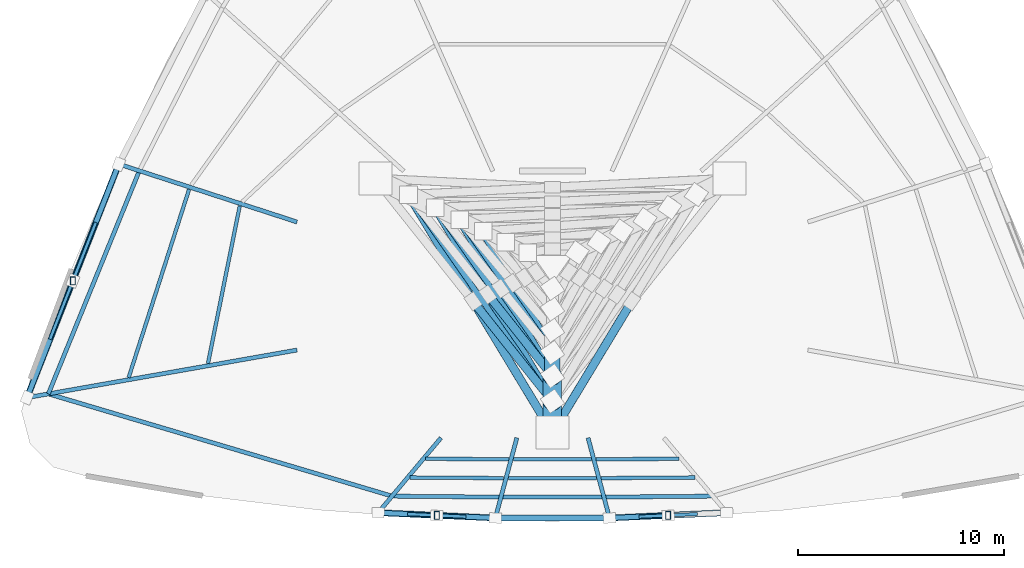
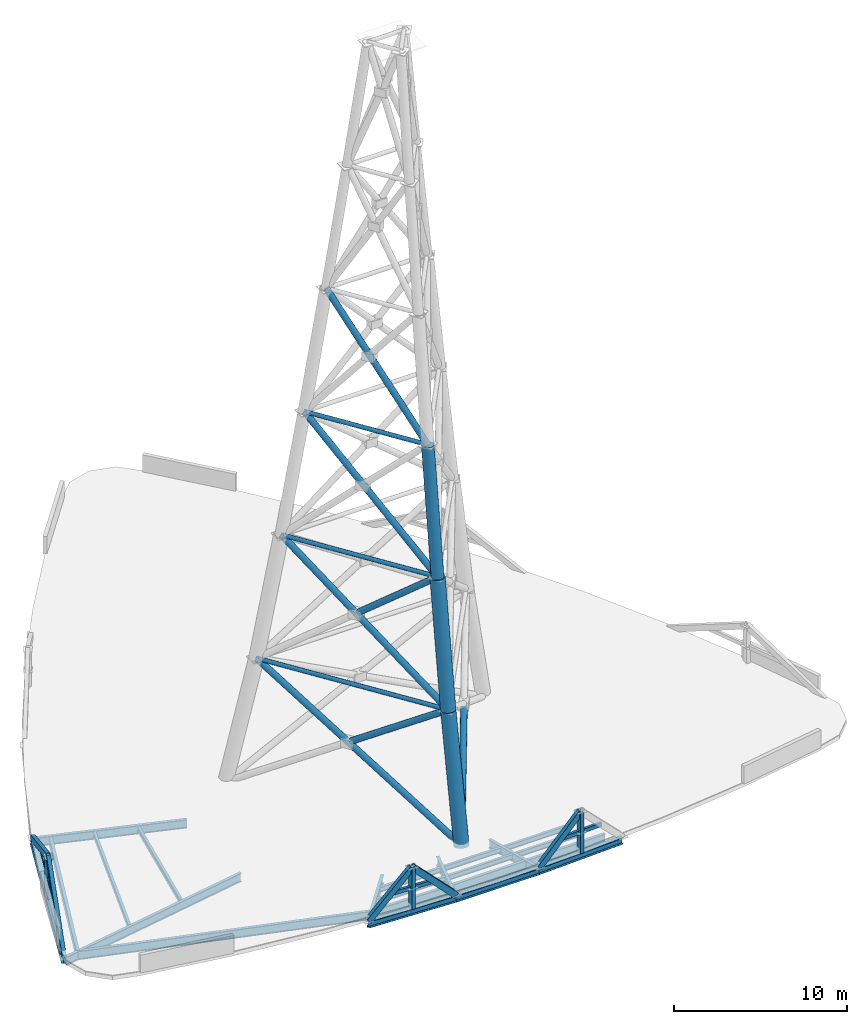
# One storey, part 1 of 7: 27 members, 22 beams.
"""IFC4 building model written with IfcOpenShell, lengths in metres."""

from ifc_helpers import new_model, si_unit, direction, frame, origin, origin_2d, place, context, subcontext, project, spatial, hollow_rectangle, hollow_circle, i_section, extrude, source, transform, mapped, material, material_profile, profile_set, type_object, element, save


model = new_model("IFC4")

# Units and contexts
model_context = context("Model", 3, precision=1e-05, world=origin(), true_north=direction((0.0, 1.0)))
body_context = subcontext(model_context, "Body", "Model", "MODEL_VIEW")
ifc_project = project(units=[si_unit("LENGTHUNIT", "METRE"), si_unit("AREAUNIT", "SQUARE_METRE"), si_unit("VOLUMEUNIT", "CUBIC_METRE"), si_unit("PLANEANGLEUNIT", "RADIAN"), si_unit("MASSUNIT", "GRAM", prefix="KILO"), si_unit("THERMODYNAMICTEMPERATUREUNIT", "KELVIN"), si_unit("POWERUNIT", "WATT")], contexts=[model_context])

# Site, building, storey
site_placement = place(None, origin())
site = spatial("IfcSite", under=ifc_project, at=site_placement, CompositionType="ELEMENT")
building_placement = place(site_placement, origin())
building = spatial("IfcBuilding", under=site, at=building_placement, Name="Yunzhuo Pagoda Commons", CompositionType="ELEMENT")
storey_placement = place(building_placement, frame((0.0, 0.0, 401.760009765625)))
storey = spatial("IfcBuildingStorey", under=building, at=storey_placement, Name="Roof", CompositionType="ELEMENT", Elevation=401.760009765625)

# Beams
ifc_material_1 = material(Name="Structural steel Q355B", Category="steel")
ifc_material_profile_1 = material_profile(ifc_material_1, i_section(OverallWidth=0.199951171875, OverallDepth=0.60009765625, WebThickness=0.010986328125, FlangeThickness=0.01708984375, at=origin_2d()), Name="Structural steel Q355B")
ifc_profile_set_1 = profile_set([ifc_material_profile_1], Name="Structural steel Q355B")
beam_type_1 = type_object("IfcBeamType", Name="B-RG3 Beam HN 600x200x11x17", PredefinedType="BEAM", material=ifc_profile_set_1)
shared_shape_1 = source(origin(), body_context, "Body", "SweptSolid", [
    extrude(i_section(OverallWidth=0.199951171875, OverallDepth=0.60009765625, WebThickness=0.010986328125, FlangeThickness=0.01708984375, at=origin_2d()), origin(), (0.0, 0.0, 1.0), 5.286376953125),
])
for number, where, z_axis, x_axis, name in (
    (1, (40.214599609375, 24.421630859375, -0.580078125), (0.999957341442, -0.009236627946, 0.0), (0.009236627946, 0.999957341442, 0.0), "Roof column-ring beam 1"),
    (2, (50.499267578125, 24.372802734375, -0.580078125), (0.999957341442, 0.009236627946, 0.0), (-0.009236627946, 0.999957341442, 0.0), "Roof column-ring beam 3"),
):
    element("IfcBeam", number, at=place(storey_placement, frame(where, z_axis=z_axis, x_axis=x_axis)), inside=storey, type_object=beam_type_1, Name=name, PredefinedType="BEAM", context=body_context, shape_type="MappedRepresentation", body=[
        mapped(shared_shape_1, transform((0.0, 0.0, 0.0), scale=1.0)),
    ])
shared_shape_2 = source(origin(), body_context, "Body", "SweptSolid", [
    extrude(i_section(OverallWidth=0.199951171875, OverallDepth=0.60009765625, WebThickness=0.010986328125, FlangeThickness=0.01708984375, at=origin_2d()), origin(), (0.0, 0.0, 1.0), 4.99853515625),
])
beam_1_placement = place(storey_placement, frame((45.500732421875, 24.372802734375, -0.580078125), z_axis=(1.0, 0.0, 0.0), x_axis=(0.0, 1.0, 0.0)))
element("IfcBeam", 3, at=beam_1_placement, inside=storey, type_object=beam_type_1, Name="Roof column-ring beam 2", PredefinedType="BEAM", context=body_context, shape_type="MappedRepresentation", body=[
    mapped(shared_shape_2, transform((0.0, 0.0, 0.0), scale=1.0)),
])
shared_shape_3 = source(origin(), body_context, "Body", "SweptSolid", [
    extrude(i_section(OverallWidth=0.199951171875, OverallDepth=0.60009765625, WebThickness=0.010986328125, FlangeThickness=0.01708984375, at=origin_2d()), origin(), (0.0, 0.0, 1.0), 17.407470703125),
])
beam_2_placement = place(storey_placement, frame((23.52978515625, 29.38525390625, -0.580078125), z_axis=(0.958484984609, -0.285143006717, 0.0), x_axis=(0.285143006717, 0.958484984609, 0.0)))
element("IfcBeam", 4, at=beam_2_placement, inside=storey, type_object=beam_type_1, Name="Roof column-ring beam 12", PredefinedType="BEAM", context=body_context, shape_type="MappedRepresentation", body=[
    mapped(shared_shape_3, transform((0.0, 0.0, 0.0), scale=1.0)),
])
shared_shape_4 = source(origin(), body_context, "Body", "SweptSolid", [
    extrude(i_section(OverallWidth=0.199951171875, OverallDepth=0.60009765625, WebThickness=0.010986328125, FlangeThickness=0.01708984375, at=origin_2d()), origin(), (0.0, 0.0, 1.0), 11.696533203125),
])
beam_3_placement = place(storey_placement, frame((27.946533203125, 40.2158203125, -0.580078125), z_axis=(-0.377611800863, -0.925963999219, 0.0), x_axis=(0.925963999219, -0.377611800863, 0.0)))
element("IfcBeam", 5, at=beam_3_placement, inside=storey, type_object=beam_type_1, Name="Roof column-ring beam 11", PredefinedType="BEAM", context=body_context, shape_type="MappedRepresentation", body=[
    mapped(shared_shape_4, transform((0.0, 0.0, 0.0), scale=1.0)),
])
ifc_material_profile_2 = material_profile(ifc_material_1, i_section(OverallWidth=0.175048828125, OverallDepth=0.35009765625, WebThickness=0.007080078125, FlangeThickness=0.010986328125, at=origin_2d()), Name="Structural steel Q355B")
ifc_profile_set_2 = profile_set([ifc_material_profile_2], Name="Structural steel Q355B")
beam_type_2 = type_object("IfcBeamType", Name="B-JS2 Joist HN 350x175x7x11", PredefinedType="JOIST", material=ifc_profile_set_2)
shared_shape_5 = source(origin(), body_context, "Body", "SweptSolid", [
    extrude(i_section(OverallWidth=0.175048828125, OverallDepth=0.35009765625, WebThickness=0.007080078125, FlangeThickness=0.010986328125, at=origin_2d()), origin(), (0.0, 0.0, 1.0), 4.03076171875),
])
for number, where, z_axis, x_axis, name in (
    (6, (41.848388671875, 26.231201171875, -0.455078125), (0.999991518197, -0.004118680996, 0.0), (0.004118680996, 0.999991518197, 0.0), "Roof composite ring joist 1.1"),
    (7, (50.120849609375, 26.214599609375, -0.455078125), (0.999991518197, 0.004118680996, 0.0), (-0.004118680996, 0.999991518197, 0.0), "Roof composite ring joist 1.3"),
):
    element("IfcBeam", number, at=place(storey_placement, frame(where, z_axis=z_axis, x_axis=x_axis)), inside=storey, type_object=beam_type_2, Name=name, PredefinedType="JOIST", context=body_context, shape_type="MappedRepresentation", body=[
        mapped(shared_shape_5, transform((0.0, 0.0, 0.0), scale=1.0)),
    ])
shared_shape_6 = source(origin(), body_context, "Body", "SweptSolid", [
    extrude(i_section(OverallWidth=0.175048828125, OverallDepth=0.35009765625, WebThickness=0.007080078125, FlangeThickness=0.010986328125, at=origin_2d()), origin(), (0.0, 0.0, 1.0), 4.54345703125),
])
for number, where, z_axis, x_axis, name in (
    (8, (41.089111328125, 25.325927734375, -0.455078125), (0.999975976237, -0.006931590593, 0.0), (0.006931590593, 0.999975976237, 0.0), "Roof composite ring joist 2.1"),
    (9, (50.367431640625, 25.29443359375, -0.455078125), (0.999975976237, 0.006931590593, 0.0), (-0.006931590593, 0.999975976237, 0.0), "Roof composite ring joist 2.3"),
):
    element("IfcBeam", number, at=place(storey_placement, frame(where, z_axis=z_axis, x_axis=x_axis)), inside=storey, type_object=beam_type_2, Name=name, PredefinedType="JOIST", context=body_context, shape_type="MappedRepresentation", body=[
        mapped(shared_shape_6, transform((0.0, 0.0, 0.0), scale=1.0)),
    ])
shared_shape_7 = source(origin(), body_context, "Body", "SweptSolid", [
    extrude(i_section(OverallWidth=0.175048828125, OverallDepth=0.35009765625, WebThickness=0.007080078125, FlangeThickness=0.010986328125, at=origin_2d()), origin(), (0.0, 0.0, 1.0), 3.78173828125),
])
beam_4_placement = place(storey_placement, frame((46.109130859375, 26.214111328125, -0.455078125), z_axis=(1.0, 0.0, 0.0), x_axis=(0.0, 1.0, 0.0)))
element("IfcBeam", 10, at=beam_4_placement, inside=storey, type_object=beam_type_2, Name="Roof composite ring joist 1.2", PredefinedType="JOIST", context=body_context, shape_type="MappedRepresentation", body=[
    mapped(shared_shape_7, transform((0.0, 0.0, 0.0), scale=1.0)),
])
shared_shape_8 = source(origin(), body_context, "Body", "SweptSolid", [
    extrude(i_section(OverallWidth=0.175048828125, OverallDepth=0.35009765625, WebThickness=0.007080078125, FlangeThickness=0.010986328125, at=origin_2d()), origin(), (0.0, 0.0, 1.0), 4.27490234375),
])
beam_5_placement = place(storey_placement, frame((45.862548828125, 25.29345703125, -0.455078125), z_axis=(1.0, 0.0, 0.0), x_axis=(0.0, 1.0, 0.0)))
element("IfcBeam", 11, at=beam_5_placement, inside=storey, type_object=beam_type_2, Name="Roof composite ring joist 2.2", PredefinedType="JOIST", context=body_context, shape_type="MappedRepresentation", body=[
    mapped(shared_shape_8, transform((0.0, 0.0, 0.0), scale=1.0)),
])
shared_shape_9 = source(origin(), body_context, "Body", "SweptSolid", [
    extrude(i_section(OverallWidth=0.175048828125, OverallDepth=0.35009765625, WebThickness=0.007080078125, FlangeThickness=0.010986328125, at=origin_2d()), origin(), (0.0, 0.0, 1.0), 7.8056640625),
])
beam_6_placement = place(storey_placement, frame((32.822265625, 38.511474609375, -0.455078125), z_axis=(-0.197890187791, -0.980224195568, 0.0), x_axis=(0.980224195568, -0.197890187791, 0.0)))
element("IfcBeam", 12, at=beam_6_placement, inside=storey, type_object=beam_type_2, Name="Roof composite ring joist 1.11", PredefinedType="JOIST", context=body_context, shape_type="MappedRepresentation", body=[
    mapped(shared_shape_9, transform((0.0, 0.0, 0.0), scale=1.0)),
])
shared_shape_10 = source(origin(), body_context, "Body", "SweptSolid", [
    extrude(i_section(OverallWidth=0.175048828125, OverallDepth=0.35009765625, WebThickness=0.007080078125, FlangeThickness=0.010986328125, at=origin_2d()), origin(), (0.0, 0.0, 1.0), 9.593994140625),
])
beam_7_placement = place(storey_placement, frame((30.360595703125, 39.310546875, -0.455078125), z_axis=(-0.305719218499, -0.952121714614, 0.0), x_axis=(0.952121714614, -0.305719218499, 0.0)))
element("IfcBeam", 13, at=beam_7_placement, inside=storey, type_object=beam_type_2, Name="Roof composite ring joist 2.11", PredefinedType="JOIST", context=body_context, shape_type="MappedRepresentation", body=[
    mapped(shared_shape_10, transform((0.0, 0.0, 0.0), scale=1.0)),
])
shared_shape_11 = source(origin(), body_context, "Body", "SweptSolid", [
    extrude(i_section(OverallWidth=0.199951171875, OverallDepth=0.60009765625, WebThickness=0.010986328125, FlangeThickness=0.01708984375, at=origin_2d()), origin(), (0.0, 0.0, 1.0), 4.587158203125),
])
beam_8_placement = place(storey_placement, frame((39.639404296875, 23.736083984375, -0.580078125), z_axis=(0.642782581433, 0.766048662297, 0.0), x_axis=(-0.766048662297, 0.642782581433, 0.0)))
element("IfcBeam", 14, at=beam_8_placement, inside=storey, type_object=beam_type_1, Name="Roof radial floor girder F1C1", PredefinedType="BEAM", context=body_context, shape_type="MappedRepresentation", body=[
    mapped(shared_shape_11, transform((0.0, 0.0, 0.0), scale=1.0)),
])
shared_shape_12 = source(origin(), body_context, "Body", "SweptSolid", [
    extrude(i_section(OverallWidth=0.199951171875, OverallDepth=0.60009765625, WebThickness=0.010986328125, FlangeThickness=0.01708984375, at=origin_2d()), origin(), (0.0, 0.0, 1.0), 3.873779296875),
])
beam_9_placement = place(storey_placement, frame((45.269287109375, 23.50830078125, -0.580078125), z_axis=(0.258843194056, 0.965919355273, 0.0), x_axis=(-0.965919355273, 0.258843194056, 0.0)))
element("IfcBeam", 15, at=beam_9_placement, inside=storey, type_object=beam_type_1, Name="Roof radial floor girder F1C2", PredefinedType="BEAM", context=body_context, shape_type="MappedRepresentation", body=[
    mapped(shared_shape_12, transform((0.0, 0.0, 0.0), scale=1.0)),
])
shared_shape_13 = source(origin(), body_context, "Body", "SweptSolid", [
    extrude(i_section(OverallWidth=0.199951171875, OverallDepth=0.60009765625, WebThickness=0.010986328125, FlangeThickness=0.01708984375, at=origin_2d()), origin(), (0.0, 0.0, 1.0), 3.87353515625),
])
beam_10_placement = place(storey_placement, frame((50.730712890625, 23.50830078125, -0.580078125), z_axis=(-0.258725583844, 0.965950864312, 0.0), x_axis=(-0.965950864312, -0.258725583844, 0.0)))
element("IfcBeam", 16, at=beam_10_placement, inside=storey, type_object=beam_type_1, Name="Roof radial floor girder F1C3", PredefinedType="BEAM", context=body_context, shape_type="MappedRepresentation", body=[
    mapped(shared_shape_13, transform((0.0, 0.0, 0.0), scale=1.0)),
])
shared_shape_14 = source(origin(), body_context, "Body", "SweptSolid", [
    extrude(i_section(OverallWidth=0.199951171875, OverallDepth=0.60009765625, WebThickness=0.010986328125, FlangeThickness=0.01708984375, at=origin_2d()), origin(), (0.0, 0.0, 1.0), 8.942626953125),
])
beam_11_placement = place(storey_placement, frame((27.09521484375, 40.492431640625, -0.580078125), z_axis=(0.951055734301, -0.309019401095, 0.0), x_axis=(0.309019401095, 0.951055734301, 0.0)))
element("IfcBeam", 17, at=beam_11_placement, inside=storey, type_object=beam_type_1, Name="Roof radial floor girder F3C3", PredefinedType="BEAM", context=body_context, shape_type="MappedRepresentation", body=[
    mapped(shared_shape_14, transform((0.0, 0.0, 0.0), scale=1.0)),
])
shared_shape_15 = source(origin(), body_context, "Body", "SweptSolid", [
    extrude(i_section(OverallWidth=0.199951171875, OverallDepth=0.60009765625, WebThickness=0.010986328125, FlangeThickness=0.01708984375, at=origin_2d()), origin(), (0.0, 0.0, 1.0), 13.151123046875),
])
beam_12_placement = place(storey_placement, frame((22.648681640625, 29.229736328125, -0.580078125), z_axis=(0.984807657771, 0.173648717804, 0.0), x_axis=(-0.173648717804, 0.984807657771, 0.0)))
element("IfcBeam", 18, at=beam_12_placement, inside=storey, type_object=beam_type_1, Name="Roof radial floor girder F3C4", PredefinedType="BEAM", context=body_context, shape_type="MappedRepresentation", body=[
    mapped(shared_shape_15, transform((0.0, 0.0, 0.0), scale=1.0)),
])
ifc_material_profile_3 = material_profile(ifc_material_1, i_section(OverallWidth=0.300048828125, OverallDepth=0.43994140625, WebThickness=0.010986328125, FlangeThickness=0.01806640625, at=origin_2d()), Name="Structural steel Q355B")
ifc_profile_set_3 = profile_set([ifc_material_profile_3], Name="Structural steel Q355B")
beam_type_3 = type_object("IfcBeamType", Name="B-SP2 Beam HM 440x300x11x18", PredefinedType="BEAM", material=ifc_profile_set_3)
shared_shape_16 = source(origin(), body_context, "Body", "SweptSolid", [
    extrude(i_section(OverallWidth=0.300048828125, OverallDepth=0.43994140625, WebThickness=0.010986328125, FlangeThickness=0.01806640625, at=origin_2d()), origin(), (0.0, 0.0, 1.0), 5.6953125),
])
for number, where, z_axis, x_axis, name in (
    (19, (39.53955078125, 23.617431640625, -0.5), (0.998967125564, -0.045438772447, 0.0), (0.045438772447, 0.998967125564, 0.0), "Roof facade edge spandrel beam F1.1"),
    (20, (50.77099609375, 23.358642578125, -0.5), (0.998967125564, 0.045438772447, 0.0), (-0.045438772447, 0.998967125564, 0.0), "Roof facade edge spandrel beam F1.3"),
):
    element("IfcBeam", number, at=place(storey_placement, frame(where, z_axis=z_axis, x_axis=x_axis)), inside=storey, type_object=beam_type_3, Name=name, PredefinedType="BEAM", context=body_context, shape_type="MappedRepresentation", body=[
        mapped(shared_shape_16, transform((0.0, 0.0, 0.0), scale=1.0)),
    ])
shared_shape_17 = source(origin(), body_context, "Body", "SweptSolid", [
    extrude(i_section(OverallWidth=0.300048828125, OverallDepth=0.43994140625, WebThickness=0.010986328125, FlangeThickness=0.01806640625, at=origin_2d()), origin(), (0.0, 0.0, 1.0), 5.5419921875),
])
beam_13_placement = place(storey_placement, frame((45.22900390625, 23.358642578125, -0.5), z_axis=(1.0, 0.0, 0.0), x_axis=(0.0, 1.0, 0.0)))
element("IfcBeam", 21, at=beam_13_placement, inside=storey, type_object=beam_type_3, Name="Roof facade edge spandrel beam F1.2", PredefinedType="BEAM", context=body_context, shape_type="MappedRepresentation", body=[
    mapped(shared_shape_17, transform((0.0, 0.0, 0.0), scale=1.0)),
])
shared_shape_18 = source(origin(), body_context, "Body", "SweptSolid", [
    extrude(i_section(OverallWidth=0.300048828125, OverallDepth=0.43994140625, WebThickness=0.010986328125, FlangeThickness=0.01806640625, at=origin_2d()), origin(), (0.0, 0.0, 1.0), 12.18017578125),
])
beam_14_placement = place(storey_placement, frame((26.947998046875, 40.540283203125, -0.5), z_axis=(-0.365522138301, -0.930802646328, 0.0), x_axis=(0.930802646328, -0.365522138301, 0.0)))
element("IfcBeam", 22, at=beam_14_placement, inside=storey, type_object=beam_type_3, Name="Roof facade edge spandrel beam F3.3", PredefinedType="BEAM", context=body_context, shape_type="MappedRepresentation", body=[
    mapped(shared_shape_18, transform((0.0, 0.0, 0.0), scale=1.0)),
])

# Members
ifc_material_profile_4 = material_profile(ifc_material_1, hollow_rectangle(XDim=0.25, YDim=0.39990234375, WallThickness=0.01611328125, at=origin_2d()), Name="Structural steel Q355B")
ifc_profile_set_4 = profile_set([ifc_material_profile_4], Name="Structural steel Q355B")
member_type_1 = type_object("IfcMemberType", Name="M-RFT Rafter RHS 400x250x16", PredefinedType="RAFTER", material=ifc_profile_set_4)
shared_shape_19 = source(origin(), body_context, "Body", "SweptSolid", [
    extrude(hollow_rectangle(XDim=0.25, YDim=0.39990234375, WallThickness=0.01611328125, at=origin_2d()), origin(), (0.0, 0.0, 1.0), 2.8798828125),
])
for number, where, z_axis, x_axis, name in (
    (23, (42.38427734375, 23.48779296875, -0.27978515625), (0.0, 0.0, 1.0), (1.0, 0.0, 0.0), "Crown gable king-post F1.1"),
    (24, (53.61572265625, 23.48779296875, -0.27978515625), (0.0, 0.0, 1.0), (1.0, 0.0, 0.0), "Crown gable king-post F1.2"),
    (25, (24.7216796875, 34.87158203125, -0.27978515625), (0.0, 0.0, 1.0), (1.0, 0.0, 0.0), "Crown gable king-post F3.2"),
):
    element("IfcMember", number, at=place(storey_placement, frame(where, z_axis=z_axis, x_axis=x_axis)), inside=storey, type_object=member_type_1, Name=name, PredefinedType="RAFTER", context=body_context, shape_type="MappedRepresentation", body=[
        mapped(shared_shape_19, transform((0.0, 0.0, 0.0), scale=1.0)),
    ])
shared_shape_20 = source(origin(), body_context, "Body", "SweptSolid", [
    extrude(hollow_rectangle(XDim=0.25, YDim=0.39990234375, WallThickness=0.01611328125, at=origin_2d()), origin(), (0.0, 0.0, 1.0), 4.050048828125),
])
for number, where, z_axis, x_axis, name in (
    (26, (39.53955078125, 23.617431640625, -0.27978515625), (0.702390906033, -0.032009060342, 0.711071329177), (0.045524328467, 0.998963230313, 0.0), "Crown gable rafter F1.1L"),
    (27, (45.22900390625, 23.358642578125, -0.27978515625), (-0.702393611512, 0.031888621738, 0.711074068091), (-0.045353215427, -0.998971013519, 0.0), "Crown gable rafter F1.1R"),
    (28, (50.77099609375, 23.358642578125, -0.27978515625), (0.702393611512, 0.031888621738, 0.711074068091), (-0.045353215427, 0.998971013519, 0.0), "Crown gable rafter F1.2L"),
):
    element("IfcMember", number, at=place(storey_placement, frame(where, z_axis=z_axis, x_axis=x_axis)), inside=storey, type_object=member_type_1, Name=name, PredefinedType="RAFTER", context=body_context, shape_type="MappedRepresentation", body=[
        mapped(shared_shape_20, transform((0.0, 0.0, 0.0), scale=1.0)),
    ])
ifc_material_profile_5 = material_profile(ifc_material_1, hollow_rectangle(XDim=0.159912109375, YDim=0.260009765625, WallThickness=0.010009765625, at=origin_2d()), Name="Structural steel Q355B")
ifc_profile_set_5 = profile_set([ifc_material_profile_5], Name="Structural steel Q355B")
member_type_2 = type_object("IfcMemberType", Name="M-PRL Purlin RHS 260x160x10", PredefinedType="PURLIN", material=ifc_profile_set_5)
shared_shape_21 = source(origin(), body_context, "Body", "SweptSolid", [
    extrude(hollow_rectangle(XDim=0.159912109375, YDim=0.260009765625, WallThickness=0.010009765625, at=origin_2d()), origin(), (0.0, 0.0, 1.0), 1.288818359375),
])
for number, where, z_axis, x_axis, name in (
    (29, (40.9619140625, 23.552490234375, 1.159912109375), (0.998974779494, -0.045270188149, 0.0), (0.045270188149, 0.998974779494, 0.0), "Crown gable purlin F1.1L"),
    (30, (42.519287109375, 23.48193359375, 1.159912109375), (0.998957181331, -0.045656870984, 0.0), (0.045656870984, 0.998957181331, 0.0), "Crown gable purlin F1.1R"),
    (31, (52.193359375, 23.423095703125, 1.159912109375), (0.998957181331, 0.045656870984, 0.0), (-0.045656870984, 0.998957181331, 0.0), "Crown gable purlin F1.2L"),
    (32, (53.75048828125, 23.494140625, 1.159912109375), (0.998974779494, 0.045270188149, 0.0), (-0.045270188149, 0.998974779494, 0.0), "Crown gable purlin F1.2R"),
):
    element("IfcMember", number, at=place(storey_placement, frame(where, z_axis=z_axis, x_axis=x_axis)), inside=storey, type_object=member_type_2, Name=name, PredefinedType="PURLIN", context=body_context, shape_type="MappedRepresentation", body=[
        mapped(shared_shape_21, transform((0.0, 0.0, 0.0), scale=1.0)),
    ])
shared_shape_22 = source(origin(), body_context, "Body", "SweptSolid", [
    extrude(hollow_rectangle(XDim=0.25, YDim=0.39990234375, WallThickness=0.01611328125, at=origin_2d()), origin(), (0.0, 0.0, 1.0), 6.73681640625),
])
member_1_placement = place(storey_placement, frame((26.947998046875, 40.540283203125, -0.27978515625), z_axis=(-0.33047149842, -0.841453856982, 0.42748566678), x_axis=(0.93078900679, -0.3655568695, 0.0)))
element("IfcMember", 33, at=member_1_placement, inside=storey, type_object=member_type_1, Name="Crown gable rafter F3.2L", PredefinedType="RAFTER", context=body_context, shape_type="MappedRepresentation", body=[
    mapped(shared_shape_22, transform((0.0, 0.0, 0.0), scale=1.0)),
])
shared_shape_23 = source(origin(), body_context, "Body", "SweptSolid", [
    extrude(hollow_rectangle(XDim=0.159912109375, YDim=0.260009765625, WallThickness=0.010009765625, at=origin_2d()), origin(), (0.0, 0.0, 1.0), 2.91015625),
])
member_2_placement = place(storey_placement, frame((24.672607421875, 34.745849609375, 1.159912109375), z_axis=(-0.36552518419, -0.930801450215, 0.0), x_axis=(0.930801450215, -0.36552518419, 0.0)))
element("IfcMember", 34, at=member_2_placement, inside=storey, type_object=member_type_2, Name="Crown gable purlin F3.2R", PredefinedType="PURLIN", context=body_context, shape_type="MappedRepresentation", body=[
    mapped(shared_shape_23, transform((0.0, 0.0, 0.0), scale=1.0)),
])
shared_shape_24 = source(origin(), body_context, "Body", "SweptSolid", [
    extrude(hollow_rectangle(XDim=0.159912109375, YDim=0.260009765625, WallThickness=0.010009765625, at=origin_2d()), origin(), (0.0, 0.0, 1.0), 2.909912109375),
])
member_3_placement = place(storey_placement, frame((25.8349609375, 37.7060546875, 1.159912109375), z_axis=(-0.365626414964, -0.930761690596, 0.0), x_axis=(0.930761690596, -0.365626414964, 0.0)))
element("IfcMember", 35, at=member_3_placement, inside=storey, type_object=member_type_2, Name="Crown gable purlin F3.2L", PredefinedType="PURLIN", context=body_context, shape_type="MappedRepresentation", body=[
    mapped(shared_shape_24, transform((0.0, 0.0, 0.0), scale=1.0)),
])
shared_shape_25 = source(origin(), body_context, "Body", "SweptSolid", [
    extrude(hollow_rectangle(XDim=0.25, YDim=0.39990234375, WallThickness=0.01611328125, at=origin_2d()), origin(), (0.0, 0.0, 1.0), 6.736572265625),
])
member_4_placement = place(storey_placement, frame((22.495849609375, 29.202880859375, -0.27978515625), z_axis=(0.330406931951, 0.841474010417, 0.427495905374), x_axis=(-0.93081628497, 0.365487405576, 0.0)))
element("IfcMember", 36, at=member_4_placement, inside=storey, type_object=member_type_1, Name="Crown gable rafter F3.2R", PredefinedType="RAFTER", context=body_context, shape_type="MappedRepresentation", body=[
    mapped(shared_shape_25, transform((0.0, 0.0, 0.0), scale=1.0)),
])
ifc_material_2 = material(Name="Structural steel Q420B", Category="steel")
ifc_material_profile_6 = material_profile(ifc_material_2, hollow_circle(Radius=0.136474609375, WallThickness=0.011962890625, at=origin_2d()), Name="Structural steel Q420B")
ifc_profile_set_6 = profile_set([ifc_material_profile_6], Name="Structural steel Q420B")
member_type_3 = type_object("IfcMemberType", Name="M-MC1 Mast Collar CHS 273x12", PredefinedType="COLLAR", material=ifc_profile_set_6)
shared_shape_26 = source(origin(), body_context, "Body", "SweptSolid", [
    extrude(hollow_circle(Radius=0.136474609375, WallThickness=0.011962890625, at=origin_2d()), origin(), (0.0, 0.0, 1.0), 12.227294921875),
])
member_5_placement = place(storey_placement, frame((48.0, 29.0283203125, 8.341796875), z_axis=(-0.571450535102, 0.820636512673, 0.0), x_axis=(-0.820636512673, -0.571450535102, 0.0)))
element("IfcMember", 37, at=member_5_placement, inside=storey, type_object=member_type_3, Name="Broadcast mast collar ring T1.3", PredefinedType="COLLAR", context=body_context, shape_type="MappedRepresentation", body=[
    mapped(shared_shape_26, transform((0.0, 0.0, 0.0), scale=1.0)),
])
ifc_material_profile_7 = material_profile(ifc_material_2, hollow_circle(Radius=0.202880859375, WallThickness=0.01611328125, at=origin_2d()), Name="Structural steel Q420B")
ifc_profile_set_7 = profile_set([ifc_material_profile_7], Name="Structural steel Q420B")
member_type_4 = type_object("IfcMemberType", Name="M-MB1 Mast Brace CHS 406x16", PredefinedType="BRACE", material=ifc_profile_set_7)
shared_shape_27 = source(origin(), body_context, "Body", "SweptSolid", [
    extrude(hollow_circle(Radius=0.202880859375, WallThickness=0.01611328125, at=origin_2d()), origin(), (0.0, 0.0, 1.0), 8.627197265625),
])
member_6_placement = place(storey_placement, frame((48.0, 27.5, -0.27978515625), z_axis=(0.436000320629, 0.721479079278, 0.537932763992), x_axis=(-0.855859509146, 0.51720837252, 0.0)))
element("IfcMember", 38, at=member_6_placement, inside=storey, type_object=member_type_4, Name="Broadcast mast lower split brace T1.2B1", PredefinedType="BRACE", context=body_context, shape_type="MappedRepresentation", body=[
    mapped(shared_shape_27, transform((0.0, 0.0, 0.0), scale=1.0)),
])
ifc_material_profile_8 = material_profile(ifc_material_2, hollow_circle(Radius=0.449951171875, WallThickness=0.031982421875, at=origin_2d()), Name="Structural steel Q420B")
ifc_profile_set_8 = profile_set([ifc_material_profile_8], Name="Structural steel Q420B")
member_type_5 = type_object("IfcMemberType", Name="M-ML1 Mast Strut CHS 900x32", PredefinedType="STRUT", material=ifc_profile_set_8)
shared_shape_28 = source(origin(), body_context, "Body", "SweptSolid", [
    extrude(hollow_circle(Radius=0.449951171875, WallThickness=0.031982421875, at=origin_2d()), origin(), (0.0, 0.0, 1.0), 8.756103515625),
])
member_7_placement = place(storey_placement, frame((48.0, 27.5, -0.27978515625), z_axis=(0.0, 0.174545599857, 0.984649091591), x_axis=(-1.0, 0.0, 0.0)))
element("IfcMember", 39, at=member_7_placement, inside=storey, type_object=member_type_5, Name="Broadcast mast leg T1.3", PredefinedType="STRUT", context=body_context, shape_type="MappedRepresentation", body=[
    mapped(shared_shape_28, transform((0.0, 0.0, 0.0), scale=1.0)),
])
shared_shape_29 = source(origin(), body_context, "Body", "SweptSolid", [
    extrude(hollow_circle(Radius=0.202880859375, WallThickness=0.01611328125, at=origin_2d()), origin(), (0.0, 0.0, 1.0), 16.0263671875),
])
member_8_placement = place(storey_placement, frame((48.0, 27.5, -0.27978515625), z_axis=(-0.435987153278, 0.72146581339, 0.537961227493), x_axis=(-0.855862213792, -0.517203896933, 0.0)))
element("IfcMember", 40, at=member_8_placement, inside=storey, type_object=member_type_4, Name="Broadcast mast diagonal brace T1.3A", PredefinedType="BRACE", context=body_context, shape_type="MappedRepresentation", body=[
    mapped(shared_shape_29, transform((0.0, 0.0, 0.0), scale=1.0)),
])
shared_shape_30 = source(origin(), body_context, "Body", "SweptSolid", [
    extrude(hollow_circle(Radius=0.202880859375, WallThickness=0.01611328125, at=origin_2d()), origin(), (0.0, 0.0, 1.0), 7.087890625),
])
member_9_placement = place(storey_placement, frame((44.25830078125, 33.736572265625, 4.590576171875), z_axis=(0.527892825612, -0.66425767597, 0.529236151998), x_axis=(0.782884602198, 0.622166938724, 0.0)))
element("IfcMember", 41, at=member_9_placement, inside=storey, type_object=member_type_4, Name="Broadcast mast upper split brace T1.3B2", PredefinedType="BRACE", context=body_context, shape_type="MappedRepresentation", body=[
    mapped(shared_shape_30, transform((0.0, 0.0, 0.0), scale=1.0)),
])
shared_shape_31 = source(origin(), body_context, "Body", "SweptSolid", [
    extrude(hollow_circle(Radius=0.136474609375, WallThickness=0.011962890625, at=origin_2d()), origin(), (0.0, 0.0, 1.0), 9.96240234375),
])
member_10_placement = place(storey_placement, frame((48.0, 30.2548828125, 16.96337890625), z_axis=(-0.571455739093, 0.820632888847, 0.0), x_axis=(-0.820632888847, -0.571455739093, 0.0)))
element("IfcMember", 42, at=member_10_placement, inside=storey, type_object=member_type_3, Name="Broadcast mast collar ring T2.3", PredefinedType="COLLAR", context=body_context, shape_type="MappedRepresentation", body=[
    mapped(shared_shape_31, transform((0.0, 0.0, 0.0), scale=1.0)),
])
shared_shape_32 = source(origin(), body_context, "Body", "SweptSolid", [
    extrude(hollow_circle(Radius=0.449951171875, WallThickness=0.031982421875, at=origin_2d()), origin(), (0.0, 0.0, 1.0), 8.70849609375),
])
member_11_placement = place(storey_placement, frame((48.0, 29.0283203125, 8.341796875), z_axis=(0.0, 0.140848295292, 0.990031190273), x_axis=(-1.0, 0.0, 0.0)))
element("IfcMember", 43, at=member_11_placement, inside=storey, type_object=member_type_5, Name="Broadcast mast leg T2.3", PredefinedType="STRUT", context=body_context, shape_type="MappedRepresentation", body=[
    mapped(shared_shape_32, transform((0.0, 0.0, 0.0), scale=1.0)),
])
shared_shape_33 = source(origin(), body_context, "Body", "SweptSolid", [
    extrude(hollow_circle(Radius=0.202880859375, WallThickness=0.01611328125, at=origin_2d()), origin(), (0.0, 0.0, 1.0), 13.96923828125),
])
member_12_placement = place(storey_placement, frame((48.0, 29.0283203125, 8.341796875), z_axis=(-0.407543342582, 0.673052089119, 0.617178506794), x_axis=(-0.855404518157, -0.51796052969, 0.0)))
element("IfcMember", 44, at=member_12_placement, inside=storey, type_object=member_type_4, Name="Broadcast mast diagonal brace T2.3A", PredefinedType="BRACE", context=body_context, shape_type="MappedRepresentation", body=[
    mapped(shared_shape_33, transform((0.0, 0.0, 0.0), scale=1.0)),
])
shared_shape_34 = source(origin(), body_context, "Body", "SweptSolid", [
    extrude(hollow_circle(Radius=0.202880859375, WallThickness=0.01611328125, at=origin_2d()), origin(), (0.0, 0.0, 1.0), 6.14599609375),
])
member_13_placement = place(storey_placement, frame((44.968994140625, 34.07568359375, 13.223388671875), z_axis=(0.493169028517, -0.621675013797, 0.608526487946), x_axis=(0.783426239091, 0.621484776889, 0.0)))
element("IfcMember", 45, at=member_13_placement, inside=storey, type_object=member_type_4, Name="Broadcast mast upper split brace T2.3B2", PredefinedType="BRACE", context=body_context, shape_type="MappedRepresentation", body=[
    mapped(shared_shape_34, transform((0.0, 0.0, 0.0), scale=1.0)),
])
shared_shape_35 = source(origin(), body_context, "Body", "SweptSolid", [
    extrude(hollow_circle(Radius=0.136474609375, WallThickness=0.011962890625, at=origin_2d()), origin(), (0.0, 0.0, 1.0), 7.869140625),
])
member_14_placement = place(storey_placement, frame((48.0, 31.388427734375, 25.5849609375), z_axis=(-0.57144711893, 0.820638891515, 0.0), x_axis=(-0.820638891515, -0.57144711893, 0.0)))
element("IfcMember", 46, at=member_14_placement, inside=storey, type_object=member_type_3, Name="Broadcast mast collar ring T3.3", PredefinedType="COLLAR", context=body_context, shape_type="MappedRepresentation", body=[
    mapped(shared_shape_35, transform((0.0, 0.0, 0.0), scale=1.0)),
])
ifc_material_profile_9 = material_profile(ifc_material_2, hollow_circle(Radius=0.375, WallThickness=0.028076171875, at=origin_2d()), Name="Structural steel Q420B")
ifc_profile_set_9 = profile_set([ifc_material_profile_9], Name="Structural steel Q420B")
member_type_6 = type_object("IfcMemberType", Name="M-ML2 Mast Strut CHS 750x28", PredefinedType="STRUT", material=ifc_profile_set_9)
shared_shape_36 = source(origin(), body_context, "Body", "SweptSolid", [
    extrude(hollow_circle(Radius=0.375, WallThickness=0.028076171875, at=origin_2d()), origin(), (0.0, 0.0, 1.0), 8.69580078125),
])
member_15_placement = place(storey_placement, frame((48.0, 30.2548828125, 16.96337890625), z_axis=(0.0, 0.130355740302, 0.991467286889), x_axis=(-1.0, 0.0, 0.0)))
element("IfcMember", 47, at=member_15_placement, inside=storey, type_object=member_type_6, Name="Broadcast mast leg T3.3", PredefinedType="STRUT", context=body_context, shape_type="MappedRepresentation", body=[
    mapped(shared_shape_36, transform((0.0, 0.0, 0.0), scale=1.0)),
])
shared_shape_37 = source(origin(), body_context, "Body", "SweptSolid", [
    extrude(hollow_circle(Radius=0.202880859375, WallThickness=0.01611328125, at=origin_2d()), origin(), (0.0, 0.0, 1.0), 12.336181640625),
])
member_16_placement = place(storey_placement, frame((48.0, 30.2548828125, 16.96337890625), z_axis=(-0.364523689111, 0.61536997607, 0.698886451885), x_axis=(-0.860377369303, -0.5096575148, 0.0)))
element("IfcMember", 48, at=member_16_placement, inside=storey, type_object=member_type_4, Name="Broadcast mast diagonal brace T3.3A", PredefinedType="BRACE", context=body_context, shape_type="MappedRepresentation", body=[
    mapped(shared_shape_37, transform((0.0, 0.0, 0.0), scale=1.0)),
])
shared_shape_38 = source(origin(), body_context, "Body", "SweptSolid", [
    extrude(hollow_circle(Radius=0.202880859375, WallThickness=0.01611328125, at=origin_2d()), origin(), (0.0, 0.0, 1.0), 10.975830078125),
])
member_17_placement = place(storey_placement, frame((48.0, 31.388427734375, 25.5849609375), z_axis=(-0.306139635601, 0.53778521906, 0.785535219882), x_axis=(-0.869053794593, -0.494717598336, 0.0)))
element("IfcMember", 49, at=member_17_placement, inside=storey, type_object=member_type_4, Name="Broadcast mast diagonal brace T4.3A", PredefinedType="BRACE", context=body_context, shape_type="MappedRepresentation", body=[
    mapped(shared_shape_38, transform((0.0, 0.0, 0.0), scale=1.0)),
])

save(model, "model.ifc")
